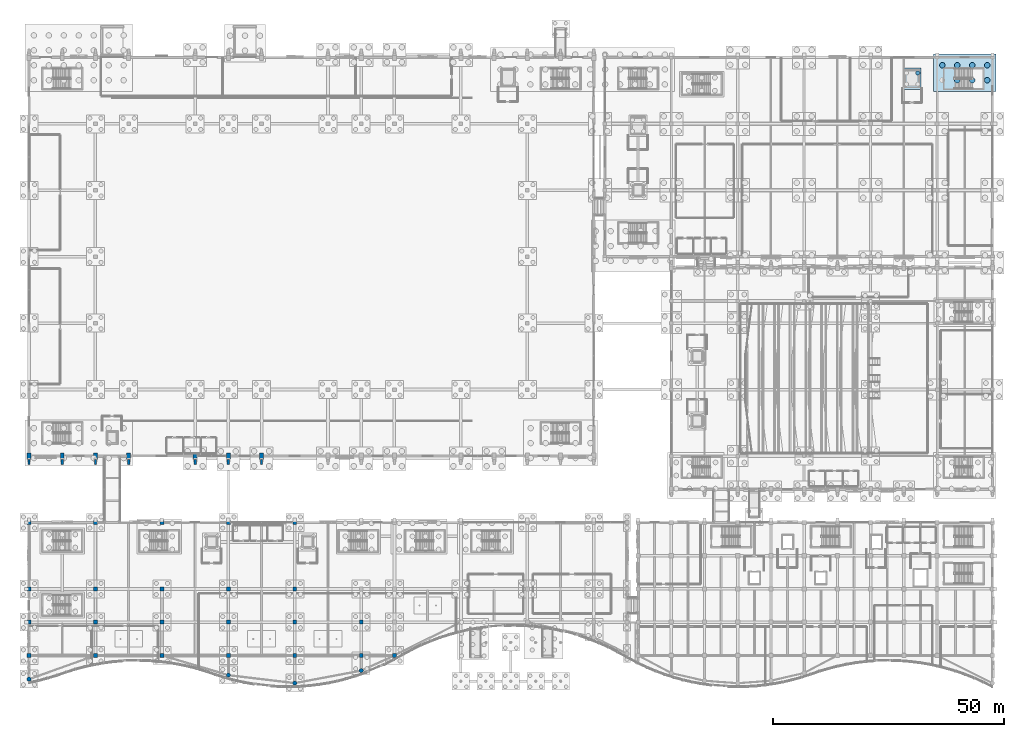
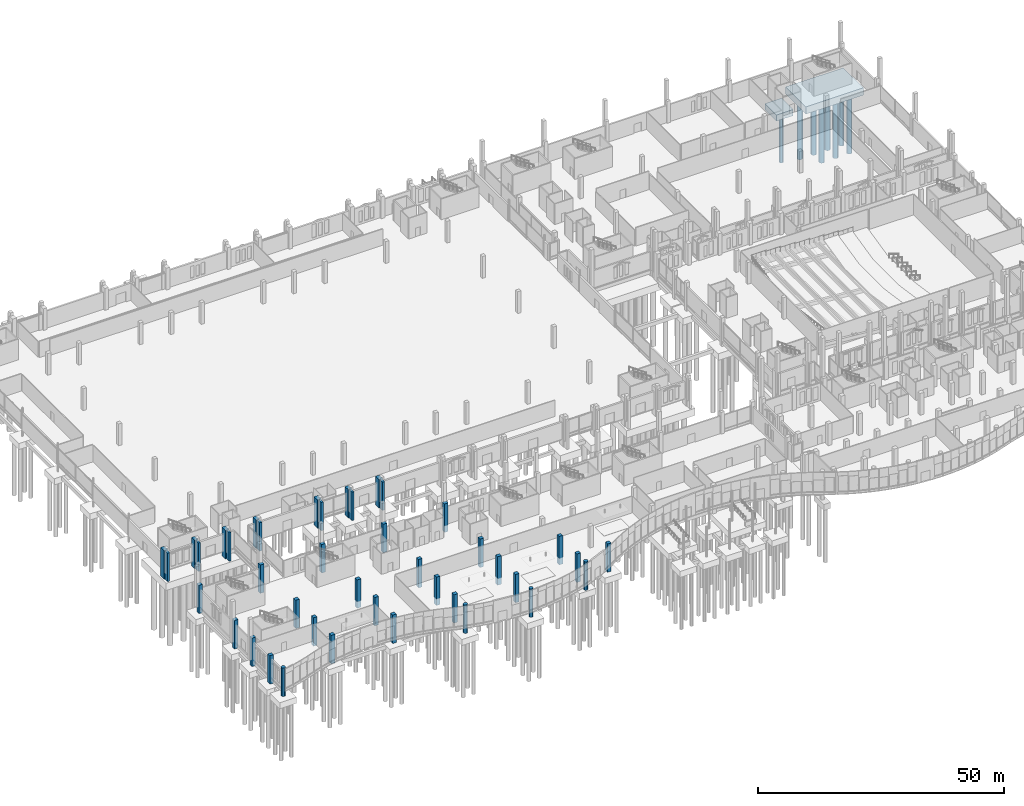
# One storey, part 8 of 192: 41 columns, 8 piles, 2 footings.
"""IFC4 building model written with IfcOpenShell, lengths in metres."""

from ifc_helpers import new_model, si_unit, direction, frame, origin, origin_2d, place, context, subcontext, project, spatial, rectangle, circle, extrude, material, material_profile, profile_set, type_object, element, save


model = new_model("IFC4")

# Units and contexts
model_context = context("Model", 3, precision=1e-05, world=origin(), true_north=direction((0.0, 1.0)))
body_context = subcontext(model_context, "Body", "Model", "MODEL_VIEW")
ifc_project = project(units=[si_unit("LENGTHUNIT", "METRE"), si_unit("AREAUNIT", "SQUARE_METRE"), si_unit("VOLUMEUNIT", "CUBIC_METRE"), si_unit("PLANEANGLEUNIT", "RADIAN"), si_unit("MASSUNIT", "GRAM", prefix="KILO")], contexts=[model_context])

# Site, building, storey
site_placement = place(None, origin())
site = spatial("IfcSite", under=ifc_project, at=site_placement, CompositionType="ELEMENT")
building_placement = place(site_placement, origin())
building = spatial("IfcBuilding", under=site, at=building_placement, Name="Cendralis Lancet Convention Centre", CompositionType="ELEMENT")
storey_placement = place(building_placement, origin())
storey = spatial("IfcBuildingStorey", under=building, at=storey_placement, Name="L00", CompositionType="ELEMENT", Elevation=0.0)

# Footings
ifc_material_1 = material(Name="Concrete G35 (C35/45)", Category="concrete")
footing_type_1 = type_object("IfcFootingType", Name="STR-FT-PC28", PredefinedType="PILE_CAP", material=ifc_material_1)
footing_1_placement = place(storey_placement, frame((191.39990234375, 132.199951171875, -3.14990234375), z_axis=(0.0, 0.0, 1.0), x_axis=(1.0, 0.0, 0.0)))
element("IfcFooting", 1, at=footing_1_placement, inside=storey, type_object=footing_type_1, Name="Pile Cap PC-28 #194", PredefinedType="PILE_CAP", context=body_context, shape_type="SweptSolid", body=[
    extrude(rectangle(XDim=3.89990234375, YDim=4.699951171875, at=origin_2d()), origin(), (0.0, 0.0, 1.0), 1.5),
])
footing_type_2 = type_object("IfcFootingType", Name="STR-FT-PC32", PredefinedType="PILE_CAP", material=ifc_material_1)
footing_2_placement = place(storey_placement, frame((202.800048828125, 133.47509765625, -3.4501953125), z_axis=(0.0, 0.0, 1.0), x_axis=(1.0, 0.0, 0.0)))
element("IfcFooting", 2, at=footing_2_placement, inside=storey, type_object=footing_type_2, Name="Pile Cap PC-32 #201", PredefinedType="PILE_CAP", context=body_context, shape_type="SweptSolid", body=[
    extrude(rectangle(XDim=13.5, YDim=8.199951171875, at=origin_2d()), origin(), (0.0, 0.0, 1.0), 1.800048828125),
])

# Piles
ifc_material_profile_1 = material_profile(ifc_material_1, circle(Radius=0.60009765625, at=origin_2d()), Name="BORED PILE D1200")
ifc_profile_set_1 = profile_set([ifc_material_profile_1], Name="Concrete G35 (C35/45)")
pile_type_1 = type_object("IfcPileType", Name="STR-PL-P1200", PredefinedType="BORED", material=ifc_profile_set_1)
for number, where, z_axis, x_axis, name in (
    (3, (197.93994140625, 135.094970703125, -3.300048828125), (0.0, 0.0, -1.0), (1.0, 0.0, 0.0), "Bored Pile P-1200 FT2-PC-32-201-P2"),
    (4, (201.179931640625, 131.85498046875, -3.300048828125), (0.0, 0.0, -1.0), (1.0, 0.0, 0.0), "Bored Pile P-1200 FT2-PC-32-201-P3"),
    (5, (201.179931640625, 135.094970703125, -3.300048828125), (0.0, 0.0, -1.0), (1.0, 0.0, 0.0), "Bored Pile P-1200 FT2-PC-32-201-P4"),
    (6, (204.419921875, 131.85498046875, -3.300048828125), (0.0, 0.0, -1.0), (1.0, 0.0, 0.0), "Bored Pile P-1200 FT2-PC-32-201-P5"),
    (7, (204.419921875, 135.094970703125, -3.300048828125), (0.0, 0.0, -1.0), (1.0, 0.0, 0.0), "Bored Pile P-1200 FT2-PC-32-201-P6"),
    (8, (207.659912109375, 131.85498046875, -3.300048828125), (0.0, 0.0, -1.0), (1.0, 0.0, 0.0), "Bored Pile P-1200 FT2-PC-32-201-P7"),
    (9, (207.659912109375, 135.094970703125, -3.300048828125), (0.0, 0.0, -1.0), (1.0, 0.0, 0.0), "Bored Pile P-1200 FT2-PC-32-201-P8"),
):
    element("IfcPile", number, at=place(storey_placement, frame(where, z_axis=z_axis, x_axis=x_axis)), inside=storey, type_object=pile_type_1, Name=name, PredefinedType="BORED", context=body_context, shape_type="SweptSolid", body=[
        extrude(circle(Radius=0.60009765625, at=origin_2d()), origin(), (0.0, 0.0, 1.0), 15.199951171875),
    ])
ifc_material_profile_2 = material_profile(ifc_material_1, circle(Radius=0.449951171875, at=origin_2d()), Name="BORED PILE D900")
ifc_profile_set_2 = profile_set([ifc_material_profile_2], Name="Concrete G35 (C35/45)")
pile_type_2 = type_object("IfcPileType", Name="STR-PL-P900", PredefinedType="BORED", material=ifc_profile_set_2)
pile_placement = place(storey_placement, frame((192.614990234375, 133.4150390625, -3.0), z_axis=(0.0, 0.0, -1.0), x_axis=(1.0, 0.0, 0.0)))
element("IfcPile", 10, at=pile_placement, inside=storey, type_object=pile_type_2, Name="Bored Pile P-900 FT2-PC-28-194-P4", PredefinedType="BORED", context=body_context, shape_type="SweptSolid", body=[
    extrude(circle(Radius=0.449951171875, at=origin_2d()), origin(), (0.0, 0.0, 1.0), 13.5),
])

# Columns
ifc_material_2 = material(Name="Concrete G40 (C40/50)", Category="concrete")
ifc_material_profile_3 = material_profile(ifc_material_2, rectangle(XDim=0.85009765625, YDim=0.85009765625, at=origin_2d()), Name="RC 850x850")
ifc_profile_set_3 = profile_set([ifc_material_profile_3], Name="Concrete G40 (C40/50)")
column_type_1 = type_object("IfcColumnType", Name="STR-COL-C04", PredefinedType="COLUMN", material=ifc_profile_set_3)
for number, where, z_axis, x_axis, name in (
    (11, (0.0, 7.199951171875, -1.64990234375), (0.0, 0.0, 1.0), (1.0, 0.0, 0.0), "L00 Column C04 at 0.0,7.2"),
    (12, (0.0, 14.39990234375, -1.64990234375), (0.0, 0.0, 1.0), (1.0, 0.0, 0.0), "L00 Column C04 at 0.0,14.4"),
    (13, (0.0, 21.60009765625, -1.64990234375), (0.0, 0.0, 1.0), (1.0, 0.0, 0.0), "L00 Column C04 at 0.0,21.6"),
    (14, (0.0, 36.0, -1.64990234375), (0.0, 0.0, 1.0), (1.0, 0.0, 0.0), "L00 Column C04 at 0.0,36.0"),
    (15, (14.39990234375, 36.0, -1.64990234375), (0.0, 0.0, 1.0), (1.0, 0.0, 0.0), "L00 Column C04 at 14.4,36.0"),
    (16, (28.800048828125, 36.0, -1.64990234375), (0.0, 0.0, 1.0), (1.0, 0.0, 0.0), "L00 Column C04 at 28.8,36.0"),
    (17, (43.199951171875, 36.0, -1.64990234375), (0.0, 0.0, 1.0), (1.0, 0.0, 0.0), "L00 Column C04 at 43.2,36.0"),
    (18, (57.60009765625, 36.0, -1.64990234375), (0.0, 0.0, 1.0), (1.0, 0.0, 0.0), "L00 Column C04 at 57.6,36.0"),
):
    element("IfcColumn", number, at=place(storey_placement, frame(where, z_axis=z_axis, x_axis=x_axis)), inside=storey, type_object=column_type_1, Name=name, PredefinedType="COLUMN", context=body_context, shape_type="SweptSolid", body=[
        extrude(rectangle(XDim=0.85009765625, YDim=0.85009765625, at=origin_2d()), origin(), (0.0, 0.0, 1.0), 7.0498046875),
    ])
ifc_material_profile_4 = material_profile(ifc_material_2, rectangle(XDim=0.85009765625, YDim=0.85009765625, at=origin_2d()), Name="RC 850x850")
ifc_profile_set_4 = profile_set([ifc_material_profile_4], Name="Concrete G40 (C40/50)")
column_type_2 = type_object("IfcColumnType", Name="STR-COL-C04-INT", PredefinedType="COLUMN", material=ifc_profile_set_4)
for number, where, z_axis, x_axis, name in (
    (19, (14.39990234375, 7.199951171875, -1.64990234375), (0.0, 0.0, 1.0), (1.0, 0.0, 0.0), "L00 Column C04 at 14.4,7.2"),
    (20, (14.39990234375, 14.39990234375, -1.64990234375), (0.0, 0.0, 1.0), (1.0, 0.0, 0.0), "L00 Column C04 at 14.4,14.4"),
    (21, (14.39990234375, 21.60009765625, -1.64990234375), (0.0, 0.0, 1.0), (1.0, 0.0, 0.0), "L00 Column C04 at 14.4,21.6"),
    (22, (28.800048828125, 7.199951171875, -1.64990234375), (0.0, 0.0, 1.0), (1.0, 0.0, 0.0), "L00 Column C04 at 28.8,7.2"),
    (23, (28.800048828125, 14.39990234375, -1.64990234375), (0.0, 0.0, 1.0), (1.0, 0.0, 0.0), "L00 Column C04 at 28.8,14.4"),
    (24, (28.800048828125, 21.60009765625, -1.64990234375), (0.0, 0.0, 1.0), (1.0, 0.0, 0.0), "L00 Column C04 at 28.8,21.6"),
    (25, (43.199951171875, 7.199951171875, -1.64990234375), (0.0, 0.0, 1.0), (1.0, 0.0, 0.0), "L00 Column C04 at 43.2,7.2"),
    (26, (43.199951171875, 14.39990234375, -1.64990234375), (0.0, 0.0, 1.0), (1.0, 0.0, 0.0), "L00 Column C04 at 43.2,14.4"),
    (27, (43.199951171875, 21.60009765625, -1.64990234375), (0.0, 0.0, 1.0), (1.0, 0.0, 0.0), "L00 Column C04 at 43.2,21.6"),
    (28, (57.60009765625, 7.199951171875, -1.64990234375), (0.0, 0.0, 1.0), (1.0, 0.0, 0.0), "L00 Column C04 at 57.6,7.2"),
    (29, (57.60009765625, 14.39990234375, -1.64990234375), (0.0, 0.0, 1.0), (1.0, 0.0, 0.0), "L00 Column C04 at 57.6,14.4"),
    (30, (57.60009765625, 21.60009765625, -1.64990234375), (0.0, 0.0, 1.0), (1.0, 0.0, 0.0), "L00 Column C04 at 57.6,21.6"),
    (31, (72.0, 7.199951171875, -1.64990234375), (0.0, 0.0, 1.0), (1.0, 0.0, 0.0), "L00 Column C04 at 72.0,7.2"),
    (32, (72.0, 14.39990234375, -1.64990234375), (0.0, 0.0, 1.0), (1.0, 0.0, 0.0), "L00 Column C04 at 72.0,14.4"),
    (33, (79.199951171875, 7.199951171875, -1.64990234375), (0.0, 0.0, 1.0), (1.0, 0.0, 0.0), "L00 Column C04 at 79.2,7.2"),
):
    element("IfcColumn", number, at=place(storey_placement, frame(where, z_axis=z_axis, x_axis=x_axis)), inside=storey, type_object=column_type_2, Name=name, PredefinedType="COLUMN", context=body_context, shape_type="SweptSolid", body=[
        extrude(rectangle(XDim=0.85009765625, YDim=0.85009765625, at=origin_2d()), origin(), (0.0, 0.0, 1.0), 7.0498046875),
    ])
ifc_material_profile_5 = material_profile(ifc_material_2, rectangle(XDim=0.89990234375, YDim=1.39990234375, at=origin_2d()), Name="RC 900x1400")
ifc_profile_set_5 = profile_set([ifc_material_profile_5], Name="Concrete G40 (C40/50)")
column_type_3 = type_object("IfcColumnType", Name="STR-COL-C13", PredefinedType="COLUMN", material=ifc_profile_set_5)
for number, where, z_axis, x_axis, name in (
    (34, (0.0, 50.39990234375, -1.64990234375), (0.0, 0.0, 1.0), (1.0, 0.0, 0.0), "L00 Column C13 at 0.0,50.4"),
    (35, (14.39990234375, 50.39990234375, -1.64990234375), (0.0, 0.0, 1.0), (1.0, 0.0, 0.0), "L00 Column C13 at 14.4,50.4"),
    (36, (36.0, 50.39990234375, -1.64990234375), (0.0, 0.0, 1.0), (1.0, 0.0, 0.0), "L00 Column C13 at 36.0,50.4"),
    (37, (50.39990234375, 50.39990234375, -1.64990234375), (0.0, 0.0, 1.0), (1.0, 0.0, 0.0), "L00 Column C13 at 50.4,50.4"),
):
    element("IfcColumn", number, at=place(storey_placement, frame(where, z_axis=z_axis, x_axis=x_axis)), inside=storey, type_object=column_type_3, Name=name, PredefinedType="COLUMN", context=body_context, shape_type="SweptSolid", body=[
        extrude(rectangle(XDim=0.89990234375, YDim=1.39990234375, at=origin_2d()), origin(), (0.0, 0.0, 1.0), 7.0498046875),
    ])
ifc_material_profile_6 = material_profile(ifc_material_2, rectangle(XDim=0.85009765625, YDim=1.300048828125, at=origin_2d()), Name="RC 850x1300")
ifc_profile_set_6 = profile_set([ifc_material_profile_6], Name="Concrete G40 (C40/50)")
column_type_4 = type_object("IfcColumnType", Name="STR-COL-C14", PredefinedType="COLUMN", material=ifc_profile_set_6)
for number, where, z_axis, x_axis, name in (
    (38, (7.199951171875, 50.39990234375, -1.64990234375), (0.0, 0.0, 1.0), (1.0, 0.0, 0.0), "L00 Column C14 at 7.2,50.4"),
    (39, (21.60009765625, 50.39990234375, -1.64990234375), (0.0, 0.0, 1.0), (1.0, 0.0, 0.0), "L00 Column C14 at 21.6,50.4"),
    (40, (43.199951171875, 50.39990234375, -1.64990234375), (0.0, 0.0, 1.0), (1.0, 0.0, 0.0), "L00 Column C14 at 43.2,50.4"),
):
    element("IfcColumn", number, at=place(storey_placement, frame(where, z_axis=z_axis, x_axis=x_axis)), inside=storey, type_object=column_type_4, Name=name, PredefinedType="COLUMN", context=body_context, shape_type="SweptSolid", body=[
        extrude(rectangle(XDim=0.85009765625, YDim=1.300048828125, at=origin_2d()), origin(), (0.0, 0.0, 1.0), 7.0498046875),
    ])
ifc_material_profile_7 = material_profile(ifc_material_2, circle(Radius=0.449951171875, at=origin_2d()), Name="RC D900")
ifc_profile_set_7 = profile_set([ifc_material_profile_7], Name="Concrete G40 (C40/50)")
column_type_5 = type_object("IfcColumnType", Name="STR-COL-C16", PredefinedType="COLUMN", material=ifc_profile_set_7)
for number, where, z_axis, x_axis, name in (
    (41, (0.0, 2.04541015625, -1.64990234375), (0.0, 0.0, 1.0), (1.0, 0.0, 0.0), "L00 Column C16 at 0.0,2.0"),
    (42, (43.199951171875, 2.921630859375, -1.64990234375), (0.0, 0.0, 1.0), (1.0, 0.0, 0.0), "L00 Column C16 at 43.2,2.9"),
    (43, (57.60009765625, 1.195068359375, -1.64990234375), (0.0, 0.0, 1.0), (1.0, 0.0, 0.0), "L00 Column C16 at 57.6,1.2"),
    (44, (72.0, 3.89794921875, -1.64990234375), (0.0, 0.0, 1.0), (1.0, 0.0, 0.0), "L00 Column C16 at 72.0,3.9"),
):
    element("IfcColumn", number, at=place(storey_placement, frame(where, z_axis=z_axis, x_axis=x_axis)), inside=storey, type_object=column_type_5, Name=name, PredefinedType="COLUMN", context=body_context, shape_type="SweptSolid", body=[
        extrude(circle(Radius=0.449951171875, at=origin_2d()), origin(), (0.0, 0.0, 1.0), 7.0498046875),
    ])
ifc_material_profile_8 = material_profile(ifc_material_2, rectangle(XDim=0.5, YDim=1.10009765625, at=origin_2d()), Name="RC 500x1100")
ifc_profile_set_8 = profile_set([ifc_material_profile_8], Name="Concrete G40 (C40/50)")
column_type_6 = type_object("IfcColumnType", Name="STR-PIL-PL01", PredefinedType="PILASTER", material=ifc_profile_set_8)
for number, where, z_axis, x_axis, name in (
    (45, (0.0, 49.139892578125, -1.64990234375), (0.0, 0.0, 1.0), (1.0, 0.0, 0.0), "L00 Column PL01 at 0.0,49.1"),
    (46, (7.199951171875, 49.139892578125, -1.64990234375), (0.0, 0.0, 1.0), (1.0, 0.0, 0.0), "L00 Column PL01 at 7.2,49.1"),
    (47, (14.39990234375, 49.139892578125, -1.64990234375), (0.0, 0.0, 1.0), (1.0, 0.0, 0.0), "L00 Column PL01 at 14.4,49.1"),
    (48, (21.60009765625, 49.139892578125, -1.64990234375), (0.0, 0.0, 1.0), (1.0, 0.0, 0.0), "L00 Column PL01 at 21.6,49.1"),
    (49, (36.0, 49.139892578125, -1.64990234375), (0.0, 0.0, 1.0), (1.0, 0.0, 0.0), "L00 Column PL01 at 36.0,49.1"),
    (50, (43.199951171875, 49.139892578125, -1.64990234375), (0.0, 0.0, 1.0), (1.0, 0.0, 0.0), "L00 Column PL01 at 43.2,49.1"),
    (51, (50.39990234375, 49.139892578125, -1.64990234375), (0.0, 0.0, 1.0), (1.0, 0.0, 0.0), "L00 Column PL01 at 50.4,49.1"),
):
    element("IfcColumn", number, at=place(storey_placement, frame(where, z_axis=z_axis, x_axis=x_axis)), inside=storey, type_object=column_type_6, Name=name, PredefinedType="PILASTER", context=body_context, shape_type="SweptSolid", body=[
        extrude(rectangle(XDim=0.5, YDim=1.10009765625, at=origin_2d()), origin(), (0.0, 0.0, 1.0), 7.0498046875),
    ])

save(model, "model.ifc")
